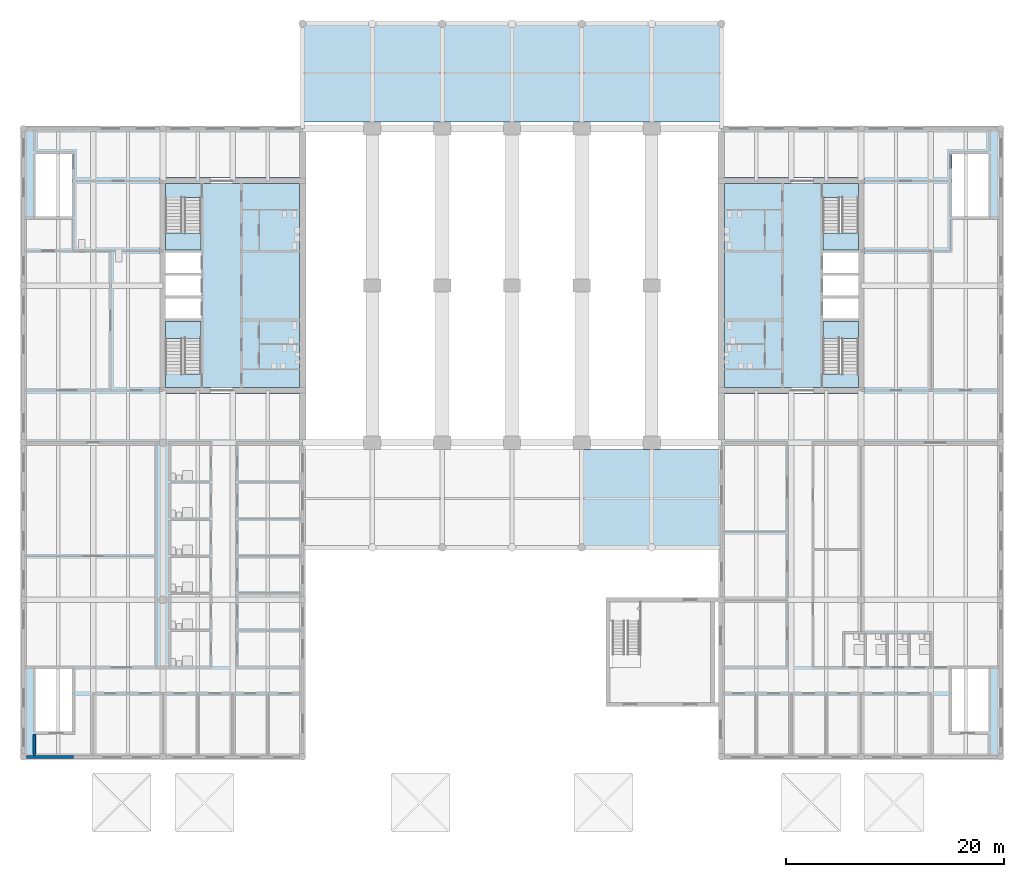
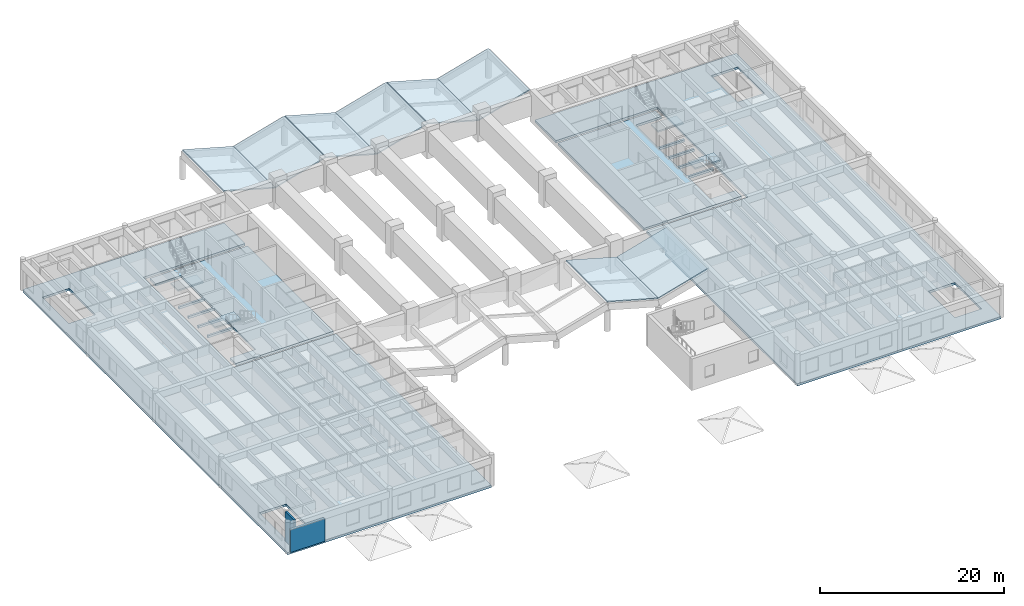
# One storey, part 4 of 19: 16 slabs, 2 walls, 4 elements without a shape of their own.
"""IFC4 building model written with IfcOpenShell, lengths in metres."""

from ifc_helpers import new_model, si_unit, direction, frame, frame_2d, origin, place, context, subcontext, project, spatial, polyline, rectangle, outline, extrude, material, layer, layer_set, type_object, element, aggregate, save


model = new_model("IFC4")

# Units and contexts
model_context = context("Model", 3, precision=1e-05, world=origin(), true_north=direction((0.0, 1.0)))
body_context = subcontext(model_context, "Body", "Model", "MODEL_VIEW")
ifc_project = project(units=[si_unit("LENGTHUNIT", "METRE"), si_unit("AREAUNIT", "SQUARE_METRE"), si_unit("VOLUMEUNIT", "CUBIC_METRE"), si_unit("PLANEANGLEUNIT", "RADIAN"), si_unit("MASSUNIT", "GRAM", prefix="KILO")], contexts=[model_context])

# Site, building, storey
site_placement = place(None, origin())
site = spatial("IfcSite", under=ifc_project, at=site_placement, CompositionType="ELEMENT")
building_placement = place(site_placement, origin())
building = spatial("IfcBuilding", under=site, at=building_placement, Name="Fogon Plaza Fire Station and Headquarters Tower", CompositionType="ELEMENT")
storey_placement = place(building_placement, frame((0.0, 0.0, 4.199951171875)))
storey = spatial("IfcBuildingStorey", under=building, at=storey_placement, Name="L01", CompositionType="ELEMENT", Elevation=4.199951171875)

# Slabs
ifc_material_1 = material(Name="Concrete C40", Category="concrete")
ifc_layer_1 = layer(ifc_material_1, 0.300048828125)
ifc_layer_set_1 = layer_set([ifc_layer_1], Name="Concrete C40")
slab_type_1 = type_object("IfcSlabType", Name="Core Floor Slab RC 300", PredefinedType="FLOOR", material=ifc_layer_set_1)
slab_1_placement = place(storey_placement, frame((0.0, 0.0, -0.300048828125)))
element("IfcSlab", 1, at=slab_1_placement, inside=storey, type_object=slab_type_1, Name="Core A floor", PredefinedType="FLOOR", context=body_context, shape_type="SweptSolid", body=[
    extrude(outline(polyline([(13.050048828125, 35.110107421875), (13.050048828125, 33.85009765625), (25.300048828125, 33.85009765625), (25.300048828125, 52.550048828125), (13.050048828125, 52.550048828125), (13.050048828125, 51.2900390625), (16.27490234375, 51.2900390625), (16.27490234375, 46.47509765625), (13.050048828125, 46.47509765625), (13.050048828125, 46.22509765625), (16.27490234375, 46.22509765625), (16.27490234375, 44.375), (13.050048828125, 44.375), (13.050048828125, 44.125), (16.27490234375, 44.125), (16.27490234375, 42.27490234375), (13.050048828125, 42.27490234375), (13.050048828125, 42.02490234375), (16.27490234375, 42.02490234375), (16.27490234375, 40.175048828125), (13.050048828125, 40.175048828125), (13.050048828125, 39.925048828125), (16.27490234375, 39.925048828125), (16.27490234375, 35.110107421875), (13.050048828125, 35.110107421875)])), origin(), (0.0, 0.0, 1.0), 0.300048828125),
])
slab_2_placement = place(storey_placement, frame((0.0, 0.0, -0.300048828125)))
element("IfcSlab", 2, at=slab_2_placement, inside=storey, type_object=slab_type_1, Name="Core B floor", PredefinedType="FLOOR", context=body_context, shape_type="SweptSolid", body=[
    extrude(outline(polyline([(76.550048828125, 35.110107421875), (73.324951171875, 35.110107421875), (73.324951171875, 39.925048828125), (76.550048828125, 39.925048828125), (76.550048828125, 40.175048828125), (73.324951171875, 40.175048828125), (73.324951171875, 42.02490234375), (76.550048828125, 42.02490234375), (76.550048828125, 42.27490234375), (73.324951171875, 42.27490234375), (73.324951171875, 44.125), (76.550048828125, 44.125), (76.550048828125, 44.375), (73.324951171875, 44.375), (73.324951171875, 46.22509765625), (76.550048828125, 46.22509765625), (76.550048828125, 46.47509765625), (73.324951171875, 46.47509765625), (73.324951171875, 51.2900390625), (76.550048828125, 51.2900390625), (76.550048828125, 52.550048828125), (64.300048828125, 52.550048828125), (64.300048828125, 33.85009765625), (76.550048828125, 33.85009765625), (76.550048828125, 35.110107421875)])), origin(), (0.0, 0.0, 1.0), 0.300048828125),
])
ifc_material_2 = material(Name="Concrete C40", Category="concrete")
ifc_layer_2 = layer(ifc_material_2, 0.300048828125)
ifc_layer_set_2 = layer_set([ifc_layer_2], Name="Concrete C40")
slab_type_2 = type_object("IfcSlabType", Name="Floor slab 300 S30", PredefinedType="FLOOR", material=ifc_layer_set_2)
slab_3_placement = place(storey_placement, frame((0.0, 0.0, -0.300048828125)))
element("IfcSlab", 3, at=slab_3_placement, inside=storey, type_object=slab_type_2, Name="slab-L01-W", PredefinedType="FLOOR", context=body_context, shape_type="SweptSolid", body=[
    extrude(outline(polyline([(25.60009765625, 0.0), (0.0, 0.0), (0.0, 57.60009765625), (25.300048828125, 57.60009765625), (25.300048828125, 53.050048828125), (12.550048828125, 53.050048828125), (12.550048828125, 33.35009765625), (25.300048828125, 33.35009765625), (25.300048828125, 28.800048828125), (25.60009765625, 28.800048828125), (25.60009765625, 0.0)]), holes=[polyline([(4.47509765625, 2.324951171875), (4.47509765625, 8.074951171875), (1.125, 8.074951171875), (1.125, 2.324951171875), (4.47509765625, 2.324951171875)]), polyline([(1.125, 49.52490234375), (4.47509765625, 49.52490234375), (4.47509765625, 55.27490234375), (1.125, 55.27490234375), (1.125, 49.52490234375)])]), origin(), (0.0, 0.0, 1.0), 0.300048828125),
])
slab_4_placement = place(storey_placement, frame((0.0, 0.0, -0.300048828125)))
element("IfcSlab", 4, at=slab_4_placement, inside=storey, type_object=slab_type_2, Name="slab-L01-E", PredefinedType="FLOOR", context=body_context, shape_type="SweptSolid", body=[
    extrude(outline(polyline([(64.0, 0.0), (89.60009765625, 0.0), (89.60009765625, 57.60009765625), (64.300048828125, 57.60009765625), (64.300048828125, 53.050048828125), (77.050048828125, 53.050048828125), (77.050048828125, 33.35009765625), (64.300048828125, 33.35009765625), (64.300048828125, 28.800048828125), (64.0, 28.800048828125), (64.0, 0.0)]), holes=[polyline([(85.125, 2.324951171875), (85.125, 8.074951171875), (88.47509765625, 8.074951171875), (88.47509765625, 2.324951171875), (85.125, 2.324951171875)]), polyline([(88.47509765625, 49.52490234375), (85.125, 49.52490234375), (85.125, 55.27490234375), (88.47509765625, 55.27490234375), (88.47509765625, 49.52490234375)])]), origin(), (0.0, 0.0, 1.0), 0.300048828125),
])
ifc_material_3 = material(Name="Concrete C40", Category="concrete")
ifc_layer_3 = layer(ifc_material_3, 0.14990234375)
ifc_layer_set_3 = layer_set([ifc_layer_3], Name="Concrete C40")
slab_type_3 = type_object("IfcSlabType", Name="Roof slab 150 R15", PredefinedType="ROOF", material=ifc_layer_set_3)
slab_5_placement = place(storey_placement, frame((25.60009765625, 58.199951171875, 3.800048828125), z_axis=(0.27075621152, 0.0, 0.962647949109), x_axis=(0.962647949109, 0.0, -0.27075621152)))
element("IfcSlab", 5, at=slab_5_placement, inside=storey, type_object=slab_type_3, Name="slab-canopy-front-1", PredefinedType="ROOF", context=body_context, shape_type="SweptSolid", body=[
    extrude(outline(polyline([(0.0, 0.0), (6.648227266961541, 0.0), (6.648227266961541, 8.999999999999998), (0.0, 8.999999999999998), (0.0, 0.0)])), origin(), (0.0, 0.0, -1.0), 0.14990234375),
])
for number, where, z_axis, x_axis, name in (
    (6, (32.0, 58.199951171875, 2.0), (-0.270763799577, 0.0, 0.962645814845), (0.962645814845, 0.0, 0.270763799577), "slab-canopy-front-2"),
    (7, (38.45068359375, 58.199951171875, 3.785888671875), (0.270763799577, 0.0, 0.962645814845), (0.962645814845, 0.0, -0.270763799577), "slab-canopy-front-3"),
    (8, (44.800048828125, 58.199951171875, 2.0), (-0.270763799577, 0.0, 0.962645814845), (0.962645814845, 0.0, 0.270763799577), "slab-canopy-front-4"),
    (9, (51.250732421875, 58.199951171875, 3.785888671875), (0.270763799577, 0.0, 0.962645814845), (0.962645814845, 0.0, -0.270763799577), "slab-canopy-front-5"),
):
    element("IfcSlab", number, at=place(storey_placement, frame(where, z_axis=z_axis, x_axis=x_axis)), inside=storey, type_object=slab_type_3, Name=name, PredefinedType="ROOF", context=body_context, shape_type="SweptSolid", body=[
        extrude(outline(polyline([(0.0, 0.0), (6.59574387221194, 0.0), (6.59574387221194, 9.0), (0.0, 9.0), (0.0, 0.0)])), origin(), (0.0, 0.0, -1.0), 0.14990234375),
    ])
slab_6_placement = place(storey_placement, frame((57.60009765625, 58.199951171875, 2.0), z_axis=(-0.27075621152, 0.0, 0.962647949109), x_axis=(0.962647949109, 0.0, 0.27075621152)))
element("IfcSlab", 10, at=slab_6_placement, inside=storey, type_object=slab_type_3, Name="slab-canopy-front-6", PredefinedType="ROOF", context=body_context, shape_type="SweptSolid", body=[
    extrude(outline(polyline([(0.0, 0.0), (6.648227266961541, 0.0), (6.648227266961541, 8.999999999999998), (0.0, 8.999999999999998), (0.0, 0.0)])), origin(), (0.0, 0.0, -1.0), 0.14990234375),
])
slab_7_placement = place(storey_placement, frame((51.250732421875, 28.199951171875, 3.785888671875), z_axis=(0.270763799577, 0.0, 0.962645814845), x_axis=(0.962645814845, 0.0, -0.270763799577)))
element("IfcSlab", 11, at=slab_7_placement, inside=storey, type_object=slab_type_3, Name="slab-canopy-rear-5", PredefinedType="ROOF", context=body_context, shape_type="SweptSolid", body=[
    extrude(outline(polyline([(0.0, 0.0), (6.59574387221194, 0.0), (6.59574387221194, -9.0), (0.0, -9.0), (0.0, 0.0)])), origin(), (0.0, 0.0, -1.0), 0.14990234375),
])
slab_8_placement = place(storey_placement, frame((57.60009765625, 28.199951171875, 2.0), z_axis=(-0.27075621152, 0.0, 0.962647949109), x_axis=(0.962647949109, 0.0, 0.27075621152)))
element("IfcSlab", 12, at=slab_8_placement, inside=storey, type_object=slab_type_3, Name="slab-canopy-rear-6", PredefinedType="ROOF", context=body_context, shape_type="SweptSolid", body=[
    extrude(outline(polyline([(0.0, 0.0), (6.648227266961541, 0.0), (6.648227266961541, -8.999999999999998), (0.0, -8.999999999999998), (0.0, 0.0)])), origin(), (0.0, 0.0, -1.0), 0.14990234375),
])

# Stair, slab
ifc_material_4 = material(Name="Concrete C40", Category="concrete")
stair_type = type_object("IfcStairType", Name="Exit Stair Two Flights", PredefinedType="TWO_STRAIGHT_RUN_STAIR", material=ifc_material_4)
stair_1_placement = place(storey_placement, origin())
stair_1 = element("IfcStair", 13, at=stair_1_placement, inside=storey, type_object=stair_type, Name="Stair ST1", PredefinedType="TWO_STRAIGHT_RUN_STAIR")
ifc_material_5 = material(Name="Concrete C40", Category="concrete")
ifc_layer_4 = layer(ifc_material_5, 0.300048828125)
ifc_layer_set_4 = layer_set([ifc_layer_4], Name="Concrete C40")
slab_type_4 = type_object("IfcSlabType", Name="Stair Landing RC 300", PredefinedType="LANDING", material=ifc_layer_set_4)
slab_9_placement = place(storey_placement, frame((0.0, 0.0, 1.900146484375)))
slab_9 = element("IfcSlab", 14, at=slab_9_placement, type_object=slab_type_4, Name="ST1 landing L03", PredefinedType="LANDING", context=body_context, shape_type="SweptSolid", body=[
    extrude(outline(polyline([(16.27490234375, 38.375), (16.27490234375, 39.925048828125), (13.050048828125, 39.925048828125), (13.050048828125, 38.375), (16.27490234375, 38.375)])), origin(), (0.0, 0.0, 1.0), 0.199951171875),
])
aggregate(stair_1, [slab_9])

stair_2_placement = place(storey_placement, origin())
stair_2 = element("IfcStair", 15, at=stair_2_placement, inside=storey, type_object=stair_type, Name="Stair ST2", PredefinedType="TWO_STRAIGHT_RUN_STAIR")
slab_10_placement = place(storey_placement, frame((0.0, 0.0, 1.900146484375)))
slab_10 = element("IfcSlab", 16, at=slab_10_placement, type_object=slab_type_4, Name="ST2 landing L03", PredefinedType="LANDING", context=body_context, shape_type="SweptSolid", body=[
    extrude(outline(polyline([(16.27490234375, 46.47509765625), (16.27490234375, 48.02490234375), (13.050048828125, 48.02490234375), (13.050048828125, 46.47509765625), (16.27490234375, 46.47509765625)])), origin(), (0.0, 0.0, 1.0), 0.199951171875),
])
aggregate(stair_2, [slab_10])

stair_3_placement = place(storey_placement, origin())
stair_3 = element("IfcStair", 17, at=stair_3_placement, inside=storey, type_object=stair_type, Name="Stair ST3", PredefinedType="TWO_STRAIGHT_RUN_STAIR")
slab_11_placement = place(storey_placement, frame((0.0, 0.0, 1.900146484375)))
slab_11 = element("IfcSlab", 18, at=slab_11_placement, type_object=slab_type_4, Name="ST3 landing L03", PredefinedType="LANDING", context=body_context, shape_type="SweptSolid", body=[
    extrude(outline(polyline([(73.324951171875, 38.375), (76.550048828125, 38.375), (76.550048828125, 39.925048828125), (73.324951171875, 39.925048828125), (73.324951171875, 38.375)])), origin(), (0.0, 0.0, 1.0), 0.199951171875),
])
aggregate(stair_3, [slab_11])

stair_4_placement = place(storey_placement, origin())
stair_4 = element("IfcStair", 19, at=stair_4_placement, inside=storey, type_object=stair_type, Name="Stair ST4", PredefinedType="TWO_STRAIGHT_RUN_STAIR")
slab_12_placement = place(storey_placement, frame((0.0, 0.0, 1.900146484375)))
slab_12 = element("IfcSlab", 20, at=slab_12_placement, type_object=slab_type_4, Name="ST4 landing L03", PredefinedType="LANDING", context=body_context, shape_type="SweptSolid", body=[
    extrude(outline(polyline([(73.324951171875, 46.47509765625), (76.550048828125, 46.47509765625), (76.550048828125, 48.02490234375), (73.324951171875, 48.02490234375), (73.324951171875, 46.47509765625)])), origin(), (0.0, 0.0, 1.0), 0.199951171875),
])
aggregate(stair_4, [slab_12])

# Walls
ifc_material_6 = material(Name="Concrete C40", Category="concrete")
ifc_layer_5 = layer(ifc_material_6, 0.300048828125)
ifc_layer_set_5 = layer_set([ifc_layer_5], Name="Concrete C40")
wall_type_1 = type_object("IfcWallType", Name="Board-marked RC Infill Wall 300 EI 120", PredefinedType="SOLIDWALL", material=ifc_layer_set_5)
wall_1_placement = place(storey_placement, frame((0.300048828125, 0.0, 0.0), z_axis=(0.0, 0.0, 1.0), x_axis=(1.0, 0.0, 0.0)))
element("IfcWall", 21, at=wall_1_placement, inside=storey, type_object=wall_type_1, Name="Exterior wall WS L01", PredefinedType="SOLIDWALL", context=body_context, shape_type="SweptSolid", body=[
    extrude(rectangle(XDim=4.300048828125, YDim=0.300048828125, at=frame_2d((2.14990234375, 0.0))), origin(), (0.0, 0.0, 1.0), 3.0),
])
ifc_material_7 = material(Name="Concrete Block Fire Wall", Category="concrete")
ifc_layer_6 = layer(ifc_material_7, 0.25)
ifc_layer_set_6 = layer_set([ifc_layer_6], Name="Concrete Block Fire Wall")
wall_type_2 = type_object("IfcWallType", Name="Stair and Shaft Wall EI 120", PredefinedType="PARTITIONING", material=ifc_layer_set_6)
wall_2_placement = place(storey_placement, frame((1.0, 0.14990234375, 0.0), z_axis=(0.0, 0.0, 1.0), x_axis=(0.0, 1.0, 0.0)))
element("IfcWall", 22, at=wall_2_placement, inside=storey, type_object=wall_type_2, Name="wall-L01-W-038", PredefinedType="PARTITIONING", context=body_context, shape_type="SweptSolid", body=[
    extrude(rectangle(XDim=1.925048828125, YDim=0.25, at=frame_2d((0.96240234375, 0.0))), origin(), (0.0, 0.0, 1.0), 3.900146484375),
])

save(model, "model.ifc")
